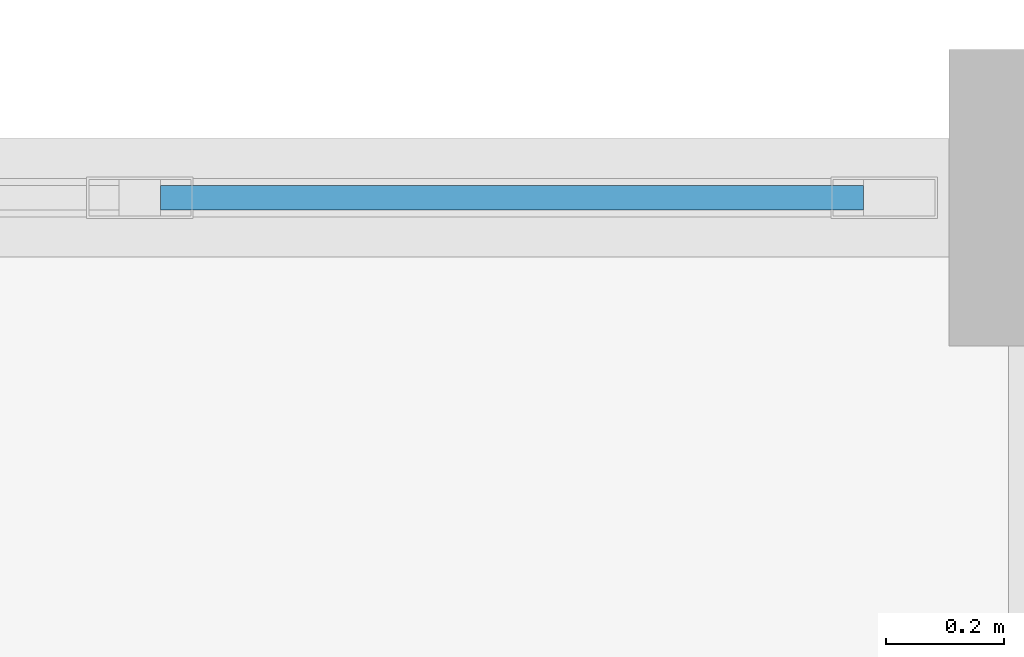
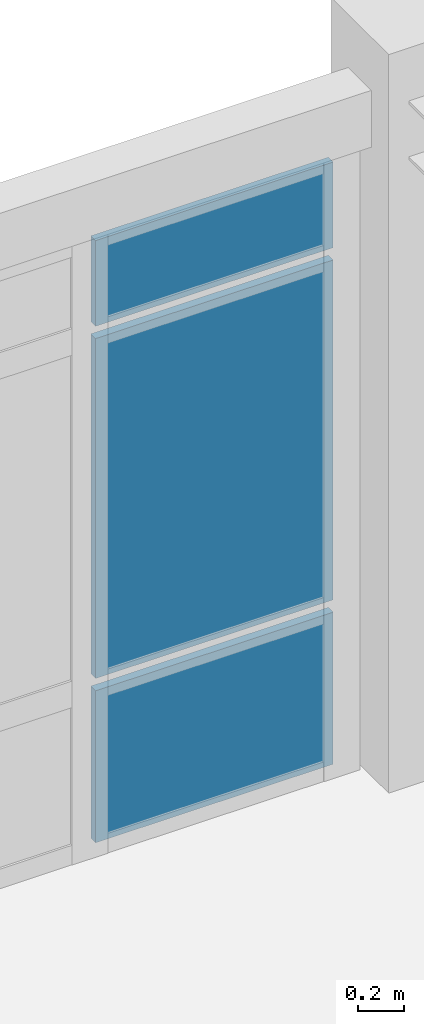
# One storey, part 42 of 70: 3 plates, 1 element without a shape of its own.
"""IFC4 building model written with IfcOpenShell, lengths in metres."""

from ifc_helpers import new_model, si_unit, direction, frame, origin, origin_2d, place, context, subcontext, project, spatial, rectangle, extrude, material, layer, layer_set, type_object, element, aggregate, save


model = new_model("IFC4")

# Units and contexts
model_context = context("Model", 3, precision=1e-05, world=origin(), true_north=direction((0.0, 1.0)))
body_context = subcontext(model_context, "Body", "Model", "MODEL_VIEW")
ifc_project = project(units=[si_unit("LENGTHUNIT", "METRE"), si_unit("AREAUNIT", "SQUARE_METRE"), si_unit("VOLUMEUNIT", "CUBIC_METRE"), si_unit("PLANEANGLEUNIT", "RADIAN"), si_unit("MASSUNIT", "GRAM", prefix="KILO")], contexts=[model_context])

# Site, building, storey
site_placement = place(None, origin())
site = spatial("IfcSite", under=ifc_project, at=site_placement, CompositionType="ELEMENT")
building_placement = place(site_placement, origin())
building = spatial("IfcBuilding", under=site, at=building_placement, Name="Bramfleet General Hospital", CompositionType="ELEMENT")
storey_placement = place(building_placement, frame((0.0, 0.0, 22.5)))
storey = spatial("IfcBuildingStorey", under=building, at=storey_placement, Name="L05", CompositionType="ELEMENT", Elevation=22.5)

# Curtain wall, plates
ifc_material_1 = material(Name="Anodised aluminium and low-E triple glazing", Category="aluminium")
ifc_layer_1 = layer(ifc_material_1, 0.179931640625, Name="CWT-CW-06")
ifc_layer_set_1 = layer_set([ifc_layer_1], Name="Anodised aluminium and low-E triple glazing")
curtain_wall_type = type_object("IfcCurtainWallType", Name="CWT-CW-06", PredefinedType="USERDEFINED", material=ifc_layer_set_1)
curtain_wall_placement = place(storey_placement, origin())
curtain_wall = element("IfcCurtainWall", 1, at=curtain_wall_placement, inside=storey, type_object=curtain_wall_type, Name="L05 Curtain Wall 204", ObjectType="Unitised curtain wall", PredefinedType="USERDEFINED")
ifc_material_2 = material(Name="Low-E laminated safety glass", Category="glass")
ifc_layer_2 = layer(ifc_material_2, 0.0419921875, Name="CWP-GLZ-4")
ifc_layer_set_2 = layer_set([ifc_layer_2], Name="Low-E laminated safety glass")
plate_type = type_object("IfcPlateType", Name="CWP-GLZ-4", PredefinedType="CURTAIN_PANEL", material=ifc_layer_set_2)
plate_1_placement = place(storey_placement, frame((141.811767578125, 117.60009765625, 0.06494140625), z_axis=(0.0, 0.0, 1.0), x_axis=(1.0, 0.0, 0.0)))
plate_1 = element("IfcPlate", 2, at=plate_1_placement, type_object=plate_type, Name="CW-06 panel 6.1", PredefinedType="CURTAIN_PANEL", context=body_context, shape_type="SweptSolid", body=[
    extrude(rectangle(XDim=1.186767578125, YDim=0.0419921875, at=origin_2d()), origin(), (0.0, 0.0, 1.0), 0.802490234375),
])
plate_2_placement = place(storey_placement, frame((141.811767578125, 117.60009765625, 0.9326171875), z_axis=(0.0, 0.0, 1.0), x_axis=(1.0, 0.0, 0.0)))
plate_2 = element("IfcPlate", 3, at=plate_2_placement, type_object=plate_type, Name="CW-06 panel 6.2", PredefinedType="CURTAIN_PANEL", context=body_context, shape_type="SweptSolid", body=[
    extrude(rectangle(XDim=1.186767578125, YDim=0.0419921875, at=origin_2d()), origin(), (0.0, 0.0, 1.0), 1.794921875),
])
plate_3_placement = place(storey_placement, frame((141.811767578125, 117.60009765625, 2.79248046875), z_axis=(0.0, 0.0, 1.0), x_axis=(1.0, 0.0, 0.0)))
plate_3 = element("IfcPlate", 4, at=plate_3_placement, type_object=plate_type, Name="CW-06 panel 6.3", PredefinedType="CURTAIN_PANEL", context=body_context, shape_type="SweptSolid", body=[
    extrude(rectangle(XDim=1.186767578125, YDim=0.0419921875, at=origin_2d()), origin(), (0.0, 0.0, 1.0), 0.452392578125),
])
aggregate(curtain_wall, [plate_1, plate_2, plate_3])

save(model, "model.ifc")
